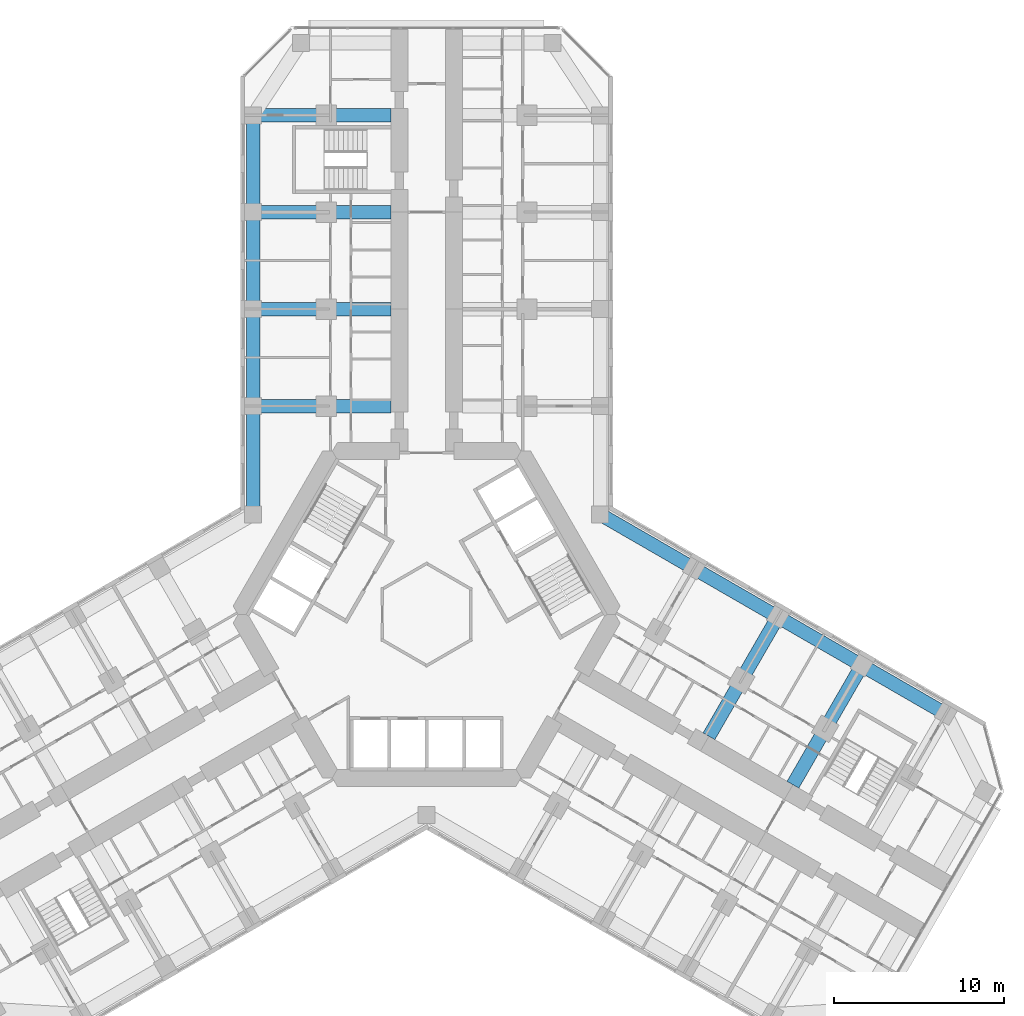
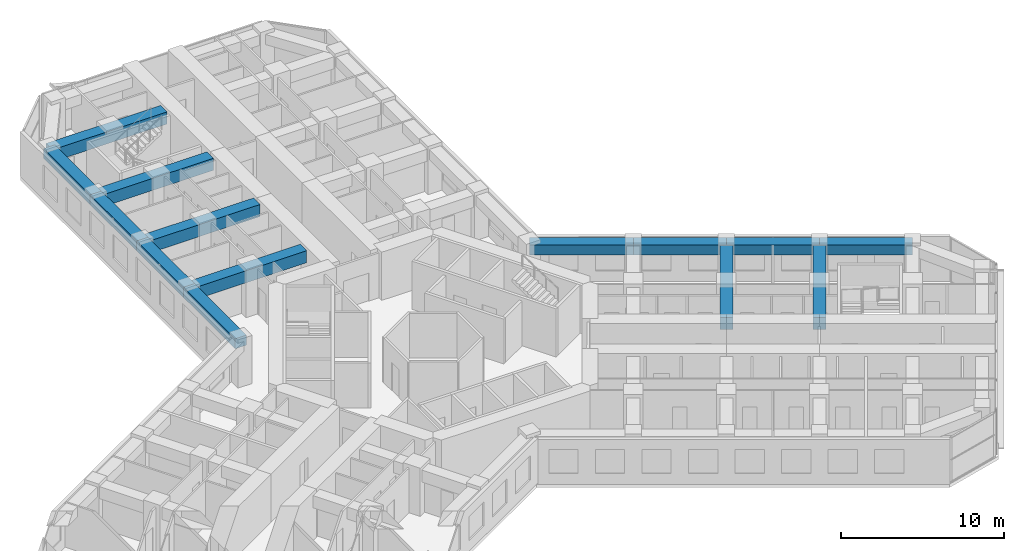
# One storey, part 6 of 21: 14 beams.
"""IFC4 building model written with IfcOpenShell, lengths in metres."""

from ifc_helpers import new_model, si_unit, direction, frame, origin, origin_2d, place, context, subcontext, project, spatial, rectangle, extrude, material, material_profile, profile_set, type_object, element, save


model = new_model("IFC4")

# Units and contexts
model_context = context("Model", 3, precision=1e-05, world=origin(), true_north=direction((0.0, 1.0)))
body_context = subcontext(model_context, "Body", "Model", "MODEL_VIEW")
ifc_project = project(units=[si_unit("LENGTHUNIT", "METRE"), si_unit("AREAUNIT", "SQUARE_METRE"), si_unit("VOLUMEUNIT", "CUBIC_METRE"), si_unit("PLANEANGLEUNIT", "RADIAN"), si_unit("MASSUNIT", "GRAM", prefix="KILO")], contexts=[model_context])

# Site, building, storey
site_placement = place(None, origin())
site = spatial("IfcSite", under=ifc_project, at=site_placement, CompositionType="ELEMENT")
building_placement = place(site_placement, origin())
building = spatial("IfcBuilding", under=site, at=building_placement, Name="Kosmar Iwan School Tower", CompositionType="ELEMENT")
storey_placement = place(building_placement, frame((0.0, 0.0, 46.60009765625)))
storey = spatial("IfcBuildingStorey", under=building, at=storey_placement, Name="L10", CompositionType="ELEMENT", Elevation=46.60009765625)

# Beams
ifc_material_1 = material(Name="Concrete C50/60", Category="concrete")
ifc_material_profile_1 = material_profile(ifc_material_1, rectangle(XDim=0.800048828125, YDim=0.75, at=origin_2d()), Name="RC 800x750")
ifc_profile_set_1 = profile_set([ifc_material_profile_1], Name="Concrete C50/60")
beam_type_1 = type_object("IfcBeamType", Name="RC edge beam 800x750", PredefinedType="BEAM", material=ifc_profile_set_1)
beam_1_placement = place(storey_placement, frame((-10.199951171875, 5.888916015625, 2.974853515625), z_axis=(0.0, 1.0, 0.0), x_axis=(-1.0, 0.0, 0.0)))
element("IfcBeam", 1, at=beam_1_placement, inside=storey, type_object=beam_type_1, Name="Edge beam AL1", PredefinedType="BEAM", context=body_context, shape_type="SweptSolid", body=[
    extrude(rectangle(XDim=0.800048828125, YDim=0.75, at=origin_2d()), origin(), (0.0, 0.0, 1.0), 6.361083984375),
])
for number, where, z_axis, x_axis, name in (
    (2, (-10.199951171875, 12.25, 2.974853515625), (0.0, 1.0, 0.0), (-1.0, 0.0, 0.0), "Edge beam AL2"),
    (3, (-10.199951171875, 17.949951171875, 2.974853515625), (0.0, 1.0, 0.0), (-1.0, 0.0, 0.0), "Edge beam AL3"),
):
    element("IfcBeam", number, at=place(storey_placement, frame(where, z_axis=z_axis, x_axis=x_axis)), inside=storey, type_object=beam_type_1, Name=name, PredefinedType="BEAM", context=body_context, shape_type="SweptSolid", body=[
        extrude(rectangle(XDim=0.800048828125, YDim=0.75, at=origin_2d()), origin(), (0.0, 0.0, 1.0), 5.699951171875),
    ])
beam_2_placement = place(storey_placement, frame((-10.199951171875, 23.64990234375, 2.974853515625), z_axis=(0.0, 1.0, 0.0), x_axis=(-1.0, 0.0, 0.0)))
element("IfcBeam", 4, at=beam_2_placement, inside=storey, type_object=beam_type_1, Name="Edge beam AL4", PredefinedType="BEAM", context=body_context, shape_type="SweptSolid", body=[
    extrude(rectangle(XDim=0.800048828125, YDim=0.75, at=origin_2d()), origin(), (0.0, 0.0, 1.0), 5.7001953125),
])
beam_3_placement = place(storey_placement, frame((10.199951171875, 5.888916015625, 2.974853515625), z_axis=(0.866030912664, -0.49999045822, 0.0), x_axis=(0.49999045822, 0.866030912664, 0.0)))
element("IfcBeam", 5, at=beam_3_placement, inside=storey, type_object=beam_type_1, Name="Edge beam CL1", PredefinedType="BEAM", context=body_context, shape_type="SweptSolid", body=[
    extrude(rectangle(XDim=0.800048828125, YDim=0.75, at=origin_2d()), origin(), (0.0, 0.0, 1.0), 6.36083984375),
])
beam_4_placement = place(storey_placement, frame((15.708740234375, 2.70849609375, 2.974853515625), z_axis=(0.866025820012, -0.499999279071, 0.0), x_axis=(0.499999279071, 0.866025820012, 0.0)))
element("IfcBeam", 6, at=beam_4_placement, inside=storey, type_object=beam_type_1, Name="Edge beam CL2", PredefinedType="BEAM", context=body_context, shape_type="SweptSolid", body=[
    extrude(rectangle(XDim=0.800048828125, YDim=0.75, at=origin_2d()), origin(), (0.0, 0.0, 1.0), 5.7001953125),
])
for number, where, z_axis, x_axis, name in (
    (7, (20.645263671875, -0.1416015625, 2.974853515625), (0.866033658841, -0.49998570155, 0.0), (0.49998570155, 0.866033658841, 0.0), "Edge beam CL3"),
    (8, (25.58154296875, -2.991455078125, 2.974853515625), (0.866015111908, -0.50001782563, 0.0), (0.50001782563, 0.866015111908, 0.0), "Edge beam CL4"),
):
    element("IfcBeam", number, at=place(storey_placement, frame(where, z_axis=z_axis, x_axis=x_axis)), inside=storey, type_object=beam_type_1, Name=name, PredefinedType="BEAM", context=body_context, shape_type="SweptSolid", body=[
        extrude(rectangle(XDim=0.800048828125, YDim=0.75, at=origin_2d()), origin(), (0.0, 0.0, 1.0), 5.699951171875),
    ])
ifc_material_2 = material(Name="Concrete C50/60", Category="concrete")
ifc_material_profile_2 = material_profile(ifc_material_2, rectangle(XDim=0.800048828125, YDim=0.89990234375, at=origin_2d()), Name="RC 800x900")
ifc_profile_set_2 = profile_set([ifc_material_profile_2], Name="Concrete C50/60")
beam_type_2 = type_object("IfcBeamType", Name="RC transverse beam 800x900", PredefinedType="BEAM", material=ifc_profile_set_2)
for number, where, z_axis, x_axis, name in (
    (9, (-10.199951171875, 12.25, 2.89990234375), (1.0, 0.0, 0.0), (0.0, 1.0, 0.0), "Transverse beam AL1"),
    (10, (-10.199951171875, 17.949951171875, 2.89990234375), (1.0, 0.0, 0.0), (0.0, 1.0, 0.0), "Transverse beam AL2"),
    (11, (-10.199951171875, 23.64990234375, 2.89990234375), (1.0, 0.0, 0.0), (0.0, 1.0, 0.0), "Transverse beam AL3"),
    (12, (-10.199951171875, 29.35009765625, 2.89990234375), (1.0, 0.0, 0.0), (0.0, 1.0, 0.0), "Transverse beam AL4"),
    (13, (20.645263671875, -0.1416015625, 2.89990234375), (-0.500012932018, -0.866017937352, 0.0), (0.866017937352, -0.500012932018, 0.0), "Transverse beam CL2"),
):
    element("IfcBeam", number, at=place(storey_placement, frame(where, z_axis=z_axis, x_axis=x_axis)), inside=storey, type_object=beam_type_2, Name=name, PredefinedType="BEAM", context=body_context, shape_type="SweptSolid", body=[
        extrude(rectangle(XDim=0.800048828125, YDim=0.89990234375, at=origin_2d()), origin(), (0.0, 0.0, 1.0), 8.099853515625),
    ])
beam_5_placement = place(storey_placement, frame((25.58154296875, -2.991455078125, 2.89990234375), z_axis=(-0.499999880539, -0.866025472755, 0.0), x_axis=(0.866025472755, -0.499999880539, 0.0)))
element("IfcBeam", 14, at=beam_5_placement, inside=storey, type_object=beam_type_2, Name="Transverse beam CL3", PredefinedType="BEAM", context=body_context, shape_type="SweptSolid", body=[
    extrude(rectangle(XDim=0.800048828125, YDim=0.89990234375, at=origin_2d()), origin(), (0.0, 0.0, 1.0), 8.10009765625),
])

save(model, "model.ifc")
